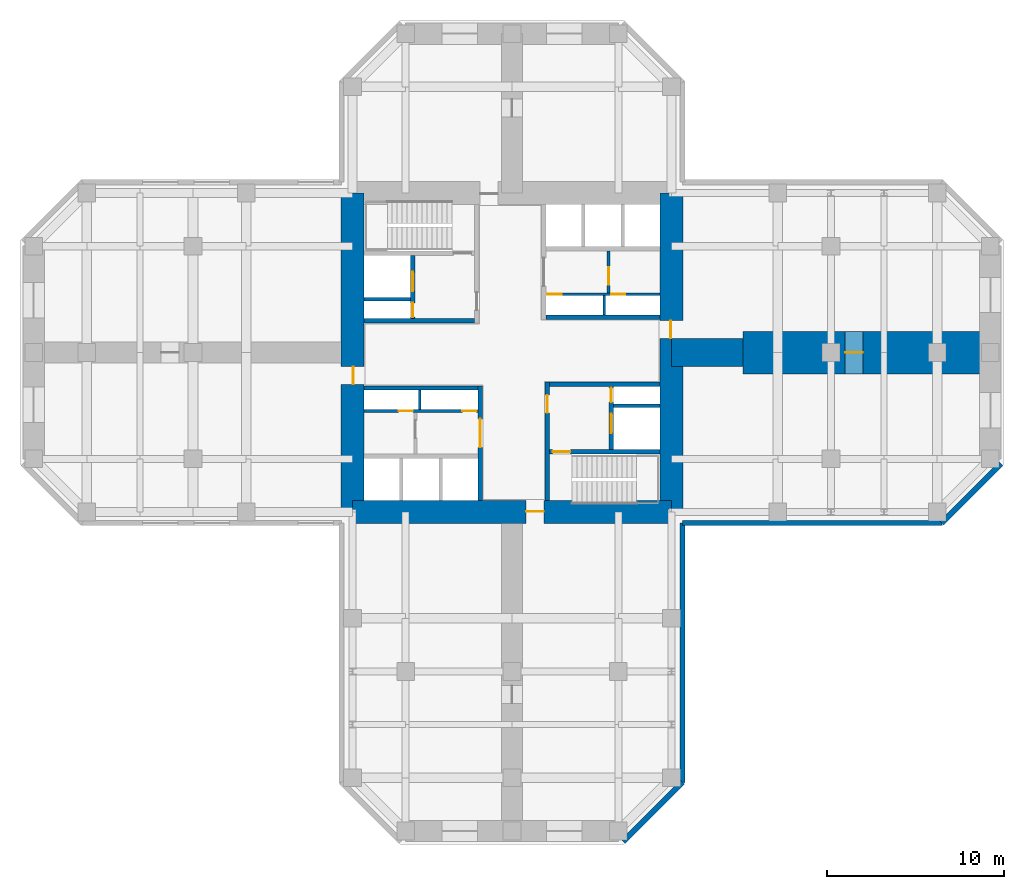
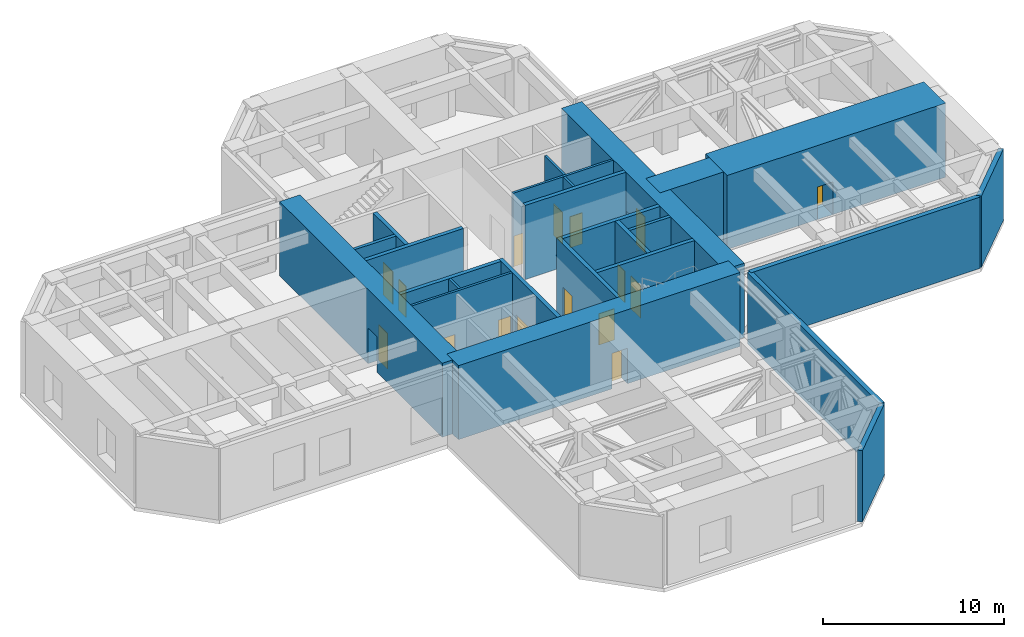
# One storey, part 6 of 8: 25 walls, 16 doors, 16 openings.
"""IFC4 building model written with IfcOpenShell, lengths in metres."""

from ifc_helpers import new_model, si_unit, direction, frame, frame_2d, origin, place, context, subcontext, project, spatial, rectangle, extrude, material, layer, layer_set, constituent, constituent_set, type_object, element, fill, save


model = new_model("IFC4")

# Units and contexts
model_context = context("Model", 3, precision=1e-05, world=origin(), true_north=direction((0.0, 1.0)))
body_context = subcontext(model_context, "Body", "Model", "MODEL_VIEW")
ifc_project = project(units=[si_unit("LENGTHUNIT", "METRE"), si_unit("AREAUNIT", "SQUARE_METRE"), si_unit("VOLUMEUNIT", "CUBIC_METRE"), si_unit("PLANEANGLEUNIT", "RADIAN"), si_unit("MASSUNIT", "GRAM", prefix="KILO")], contexts=[model_context])

# Site, building, storey
site_placement = place(None, origin())
site = spatial("IfcSite", under=ifc_project, at=site_placement, CompositionType="ELEMENT")
building_placement = place(site_placement, origin())
building = spatial("IfcBuilding", under=site, at=building_placement, Name="Torre Cruceta", CompositionType="ELEMENT")
storey_placement = place(building_placement, frame((0.0, 0.0, 164.5)))
storey = spatial("IfcBuildingStorey", under=building, at=storey_placement, Name="L40", CompositionType="ELEMENT", Elevation=164.5)

# Walls
ifc_material_1 = material(Name="Concrete G60 (fck 60 MPa)", Category="concrete")
ifc_layer_1 = layer(ifc_material_1, 0.25)
ifc_layer_set_1 = layer_set([ifc_layer_1], Name="Concrete G60 (fck 60 MPa)")
wall_type_1 = type_object("IfcWallType", Name="CORE INNER WALL 250 G60", PredefinedType="SHEAR", material=ifc_layer_set_1)
wall_1_placement = place(storey_placement, frame((1.925048828125, 2.0, 0.0), z_axis=(0.0, 0.0, 1.0), x_axis=(1.0, 0.0, 0.0)))
element("IfcWall", 1, at=wall_1_placement, inside=storey, type_object=wall_type_1, Name="CW4 L40 NE-CV", PredefinedType="SHEAR", context=body_context, shape_type="SweptSolid", body=[
    extrude(rectangle(XDim=6.425048828125, YDim=0.25, at=frame_2d((3.21240234375, 0.0))), origin(), (0.0, 0.0, 1.0), 5.0),
])
wall_2_placement = place(storey_placement, frame((-2.125, 1.800048828125, 0.0), z_axis=(0.0, 0.0, 1.0), x_axis=(-1.0, 0.0, 0.0)))
element("IfcWall", 2, at=wall_2_placement, inside=storey, type_object=wall_type_1, Name="CW4 L40 NW-CV", PredefinedType="SHEAR", context=body_context, shape_type="SweptSolid", body=[
    extrude(rectangle(XDim=6.22509765625, YDim=0.25, at=frame_2d((3.112548828125, 0.0))), origin(), (0.0, 0.0, 1.0), 5.0),
])

# Wall, openings, doors
wall_3_placement = place(storey_placement, frame((-5.60009765625, 1.925048828125, 0.0), z_axis=(0.0, 0.0, 1.0), x_axis=(0.0, 1.0, 0.0)))
wall_3 = element("IfcWall", 3, at=wall_3_placement, inside=storey, type_object=wall_type_1, Name="CW4 L40 NW-FU", PredefinedType="SHEAR", context=body_context, shape_type="SweptSolid", body=[
    extrude(rectangle(XDim=3.550048828125, YDim=0.25, at=frame_2d((1.77490234375, 0.0))), origin(), (0.0, 0.0, 1.0), 5.0),
])
opening_1_placement = place(wall_3_placement, frame((1.52490234375, 0.0, 0.0)))
opening_1 = element("IfcOpeningElement", 4, at=opening_1_placement, cuts=wall_3, Name="Opening LD1", PredefinedType="OPENING", context=body_context, shape_type="SweptSolid", body=[
    extrude(rectangle(XDim=1.10009765625, YDim=2.199951171875, at=frame_2d((0.550048828125, 1.10009765625))), frame((0.0, 0.135009765625, 0.0), z_axis=(0.0, -1.0, 0.0), x_axis=(1.0, 0.0, 0.0)), (0.0, 0.0, 1.0), 0.27001953125),
])
opening_2_placement = place(wall_3_placement, frame((0.074951171875, 0.0, 0.0)))
opening_2 = element("IfcOpeningElement", 5, at=opening_2_placement, cuts=wall_3, Name="Opening D5", PredefinedType="OPENING", context=body_context, shape_type="SweptSolid", body=[
    extrude(rectangle(XDim=0.800048828125, YDim=2.10009765625, at=frame_2d((0.39990234375, 1.050048828125))), frame((0.0, 0.135009765625, 0.0), z_axis=(0.0, -1.0, 0.0), x_axis=(1.0, 0.0, 0.0)), (0.0, 0.0, 1.0), 0.27001953125),
])
ifc_material_2 = material(Name="Stainless steel 1.4401", Category="steel")
door_type_1 = type_object("IfcDoorType", Name="LIFT LANDING DOOR 1100X2200", OperationType="DOUBLE_DOOR_SLIDING", PredefinedType="DOOR", material=ifc_material_2)
door_1_placement = place(opening_1_placement, origin())
door_1 = element("IfcDoor", 6, at=door_1_placement, inside=storey, type_object=door_type_1, Name="Lift landing door FL1", OperationType="DOUBLE_DOOR_SLIDING", OverallHeight=2.199951171875, OverallWidth=1.10009765625, PredefinedType="DOOR", context=body_context, shape_type="SweptSolid", body=[
    extrude(rectangle(XDim=1.10009765625, YDim=2.199951171875, at=frame_2d((0.550048828125, 1.10009765625))), frame((0.0, 0.02490234375, 0.0), z_axis=(0.0, -1.0, 0.0), x_axis=(1.0, 0.0, 0.0)), (0.0, 0.0, 1.0), 0.050048828125),
])
fill(opening_1, door_1)
ifc_material_3 = material(Name="Steel DX51D", Category="steel")
ifc_constituent_1 = constituent(ifc_material_3, Name="Leaf and frame")
ifc_material_4 = material(Name="Polyester powder coating", Category="paint")
ifc_constituent_2 = constituent(ifc_material_4, Name="Finish")
ifc_constituent_set_1 = constituent_set(constituents=[ifc_constituent_1, ifc_constituent_2], Name="Steel fire door")
door_type_2 = type_object("IfcDoorType", Name="RISER ACCESS DOOR 800X2100", OperationType="SINGLE_SWING_LEFT", PredefinedType="DOOR", material=ifc_constituent_set_1)
door_2_placement = place(opening_2_placement, origin())
door_2 = element("IfcDoor", 7, at=door_2_placement, inside=storey, type_object=door_type_2, Name="D5 L40 NW-RISER", OperationType="SINGLE_SWING_LEFT", OverallHeight=2.10009765625, OverallWidth=0.800048828125, PredefinedType="DOOR", context=body_context, shape_type="SweptSolid", body=[
    extrude(rectangle(XDim=0.800048828125, YDim=2.10009765625, at=frame_2d((0.39990234375, 1.050048828125))), frame((0.0, 0.02490234375, 0.0), z_axis=(0.0, -1.0, 0.0), x_axis=(1.0, 0.0, 0.0)), (0.0, 0.0, 1.0), 0.050048828125),
])
fill(opening_2, door_2)

# Wall, opening, door
wall_4_placement = place(storey_placement, frame((-1.800048828125, -1.875, 0.0), z_axis=(0.0, 0.0, 1.0), x_axis=(0.0, -1.0, 0.0)))
wall_4 = element("IfcWall", 8, at=wall_4_placement, inside=storey, type_object=wall_type_1, Name="CW4 L40 SW-CU", PredefinedType="SHEAR", context=body_context, shape_type="SweptSolid", body=[
    extrude(rectangle(XDim=6.47509765625, YDim=0.25, at=frame_2d((3.237548828125, 0.0))), origin(), (0.0, 0.0, 1.0), 5.0),
])
opening_3_placement = place(wall_4_placement, frame((1.875, 0.0, 0.0)))
opening_3 = element("IfcOpeningElement", 9, at=opening_3_placement, cuts=wall_4, Name="Opening D15", PredefinedType="OPENING", context=body_context, shape_type="SweptSolid", body=[
    extrude(rectangle(XDim=1.60009765625, YDim=2.39990234375, at=frame_2d((0.800048828125, 1.199951171875))), frame((0.0, 0.135009765625, 0.0), z_axis=(0.0, -1.0, 0.0), x_axis=(1.0, 0.0, 0.0)), (0.0, 0.0, 1.0), 0.27001953125),
])
ifc_material_5 = material(Name="Steel DX51D", Category="steel")
ifc_constituent_3 = constituent(ifc_material_5, Name="Leaf and frame")
ifc_material_6 = material(Name="Polyester powder coating", Category="paint")
ifc_constituent_4 = constituent(ifc_material_6, Name="Finish")
ifc_constituent_set_2 = constituent_set(constituents=[ifc_constituent_3, ifc_constituent_4], Name="Steel fire door")
door_type_3 = type_object("IfcDoorType", Name="CORE ROOM DOUBLE DOOR 1600X2400", OperationType="DOUBLE_DOOR_SINGLE_SWING", PredefinedType="DOOR", material=ifc_constituent_set_2)
door_3_placement = place(opening_3_placement, frame((1.60009765625, 0.0, 0.0), z_axis=(0.0, 0.0, 1.0), x_axis=(-1.0, 0.0, 0.0)))
door_3 = element("IfcDoor", 10, at=door_3_placement, inside=storey, type_object=door_type_3, Name="D15 L40 SW-LOBBY", OperationType="DOUBLE_DOOR_SINGLE_SWING", OverallHeight=2.39990234375, OverallWidth=1.60009765625, PredefinedType="DOOR", context=body_context, shape_type="SweptSolid", body=[
    extrude(rectangle(XDim=1.60009765625, YDim=2.39990234375, at=frame_2d((0.800048828125, 1.199951171875))), frame((0.0, 0.025146484375, 0.0), z_axis=(0.0, -1.0, 0.0), x_axis=(1.0, 0.0, 0.0)), (0.0, 0.0, 1.0), 0.050048828125),
])
fill(opening_3, door_3)

# Wall
wall_5_placement = place(storey_placement, frame((-1.925048828125, -2.0, 0.0), z_axis=(0.0, 0.0, 1.0), x_axis=(-1.0, 0.0, 0.0)))
element("IfcWall", 11, at=wall_5_placement, inside=storey, type_object=wall_type_1, Name="CW4 L40 SW-CV", PredefinedType="SHEAR", context=body_context, shape_type="SweptSolid", body=[
    extrude(rectangle(XDim=6.425048828125, YDim=0.25, at=frame_2d((3.21240234375, 0.0))), origin(), (0.0, 0.0, 1.0), 5.0),
])

# Wall, opening, door
wall_6_placement = place(storey_placement, frame((2.0, -1.675048828125, 0.0), z_axis=(0.0, 0.0, 1.0), x_axis=(0.0, -1.0, 0.0)))
wall_6 = element("IfcWall", 12, at=wall_6_placement, inside=storey, type_object=wall_type_1, Name="CW4 L40 SE-CU", PredefinedType="SHEAR", context=body_context, shape_type="SweptSolid", body=[
    extrude(rectangle(XDim=6.675048828125, YDim=0.25, at=frame_2d((3.33740234375, 0.0))), origin(), (0.0, 0.0, 1.0), 5.0),
])
opening_4_placement = place(wall_6_placement, frame((0.72509765625, 0.0, 0.0)))
opening_4 = element("IfcOpeningElement", 13, at=opening_4_placement, cuts=wall_6, Name="Opening D3", PredefinedType="OPENING", context=body_context, shape_type="SweptSolid", body=[
    extrude(rectangle(XDim=1.0, YDim=2.10009765625, at=frame_2d((0.5, 1.050048828125))), frame((0.0, 0.135009765625, 0.0), z_axis=(0.0, -1.0, 0.0), x_axis=(1.0, 0.0, 0.0)), (0.0, 0.0, 1.0), 0.27001953125),
])
ifc_material_7 = material(Name="Steel DX51D", Category="steel")
ifc_constituent_5 = constituent(ifc_material_7, Name="Leaf and frame")
ifc_material_8 = material(Name="Polyester powder coating", Category="paint")
ifc_constituent_6 = constituent(ifc_material_8, Name="Finish")
ifc_constituent_set_3 = constituent_set(constituents=[ifc_constituent_5, ifc_constituent_6], Name="Steel fire door")
door_type_4 = type_object("IfcDoorType", Name="FIRE DOOR 1000X2100", OperationType="SINGLE_SWING_LEFT", PredefinedType="DOOR", material=ifc_constituent_set_3)
door_4_placement = place(opening_4_placement, origin())
door_4 = element("IfcDoor", 14, at=door_4_placement, inside=storey, type_object=door_type_4, Name="D3 L40 SE-LOBBY", OperationType="SINGLE_SWING_LEFT", OverallHeight=2.10009765625, OverallWidth=1.0, PredefinedType="DOOR", context=body_context, shape_type="SweptSolid", body=[
    extrude(rectangle(XDim=1.0, YDim=2.10009765625, at=frame_2d((0.5, 1.050048828125))), frame((0.0, 0.02490234375, 0.0), z_axis=(0.0, -1.0, 0.0), x_axis=(1.0, 0.0, 0.0)), (0.0, 0.0, 1.0), 0.050048828125),
])
fill(opening_4, door_4)

# Wall
wall_7_placement = place(storey_placement, frame((2.125, -1.800048828125, 0.0), z_axis=(0.0, 0.0, 1.0), x_axis=(1.0, 0.0, 0.0)))
element("IfcWall", 15, at=wall_7_placement, inside=storey, type_object=wall_type_1, Name="CW4 L40 SE-CV", PredefinedType="SHEAR", context=body_context, shape_type="SweptSolid", body=[
    extrude(rectangle(XDim=6.22509765625, YDim=0.25, at=frame_2d((3.112548828125, 0.0))), origin(), (0.0, 0.0, 1.0), 5.0),
])

# Wall, opening, door
wall_8_placement = place(storey_placement, frame((2.125, -5.60009765625, 0.0), z_axis=(0.0, 0.0, 1.0), x_axis=(1.0, 0.0, 0.0)))
wall_8 = element("IfcWall", 16, at=wall_8_placement, inside=storey, type_object=wall_type_1, Name="CW4 L40 SE-SV", PredefinedType="SHEAR", context=body_context, shape_type="SweptSolid", body=[
    extrude(rectangle(XDim=6.22509765625, YDim=0.25, at=frame_2d((3.112548828125, 0.0))), origin(), (0.0, 0.0, 1.0), 5.0),
])
opening_5_placement = place(wall_8_placement, frame((0.175048828125, 0.0, 0.0)))
opening_5 = element("IfcOpeningElement", 17, at=opening_5_placement, cuts=wall_8, Name="Opening D3", PredefinedType="OPENING", context=body_context, shape_type="SweptSolid", body=[
    extrude(rectangle(XDim=1.0, YDim=2.10009765625, at=frame_2d((0.5, 1.050048828125))), frame((0.0, 0.135009765625, 0.0), z_axis=(0.0, -1.0, 0.0), x_axis=(1.0, 0.0, 0.0)), (0.0, 0.0, 1.0), 0.27001953125),
])
door_5_placement = place(opening_5_placement, frame((1.0, 0.0, 0.0), z_axis=(0.0, 0.0, 1.0), x_axis=(-1.0, 0.0, 0.0)))
door_5 = element("IfcDoor", 18, at=door_5_placement, inside=storey, type_object=door_type_4, Name="D3 L40 SE-STAIR", OperationType="SINGLE_SWING_RIGHT", OverallHeight=2.10009765625, OverallWidth=1.0, PredefinedType="DOOR", context=body_context, shape_type="SweptSolid", body=[
    extrude(rectangle(XDim=1.0, YDim=2.10009765625, at=frame_2d((0.5, 1.050048828125))), frame((0.0, 0.025146484375, 0.0), z_axis=(0.0, -1.0, 0.0), x_axis=(1.0, 0.0, 0.0)), (0.0, 0.0, 1.0), 0.050048828125),
])
fill(opening_5, door_5)

# Wall, openings, doors
wall_9_placement = place(storey_placement, frame((5.60009765625, -1.925048828125, 0.0), z_axis=(0.0, 0.0, 1.0), x_axis=(0.0, -1.0, 0.0)))
wall_9 = element("IfcWall", 19, at=wall_9_placement, inside=storey, type_object=wall_type_1, Name="CW4 L40 SE-FU", PredefinedType="SHEAR", context=body_context, shape_type="SweptSolid", body=[
    extrude(rectangle(XDim=3.550048828125, YDim=0.25, at=frame_2d((1.77490234375, 0.0))), origin(), (0.0, 0.0, 1.0), 5.0),
])
opening_6_placement = place(wall_9_placement, frame((1.52490234375, 0.0, 0.0)))
opening_6 = element("IfcOpeningElement", 20, at=opening_6_placement, cuts=wall_9, Name="Opening LD1", PredefinedType="OPENING", context=body_context, shape_type="SweptSolid", body=[
    extrude(rectangle(XDim=1.10009765625, YDim=2.199951171875, at=frame_2d((0.550048828125, 1.10009765625))), frame((0.0, 0.135009765625, 0.0), z_axis=(0.0, -1.0, 0.0), x_axis=(1.0, 0.0, 0.0)), (0.0, 0.0, 1.0), 0.27001953125),
])
opening_7_placement = place(wall_9_placement, frame((0.074951171875, 0.0, 0.0)))
opening_7 = element("IfcOpeningElement", 21, at=opening_7_placement, cuts=wall_9, Name="Opening D5", PredefinedType="OPENING", context=body_context, shape_type="SweptSolid", body=[
    extrude(rectangle(XDim=0.800048828125, YDim=2.10009765625, at=frame_2d((0.39990234375, 1.050048828125))), frame((0.0, 0.135009765625, 0.0), z_axis=(0.0, -1.0, 0.0), x_axis=(1.0, 0.0, 0.0)), (0.0, 0.0, 1.0), 0.27001953125),
])
door_6_placement = place(opening_6_placement, origin())
door_6 = element("IfcDoor", 22, at=door_6_placement, inside=storey, type_object=door_type_1, Name="Lift landing door FL2", OperationType="DOUBLE_DOOR_SLIDING", OverallHeight=2.199951171875, OverallWidth=1.10009765625, PredefinedType="DOOR", context=body_context, shape_type="SweptSolid", body=[
    extrude(rectangle(XDim=1.10009765625, YDim=2.199951171875, at=frame_2d((0.550048828125, 1.10009765625))), frame((0.0, 0.02490234375, 0.0), z_axis=(0.0, -1.0, 0.0), x_axis=(1.0, 0.0, 0.0)), (0.0, 0.0, 1.0), 0.050048828125),
])
fill(opening_6, door_6)
door_7_placement = place(opening_7_placement, origin())
door_7 = element("IfcDoor", 23, at=door_7_placement, inside=storey, type_object=door_type_2, Name="D5 L40 SE-RISER", OperationType="SINGLE_SWING_LEFT", OverallHeight=2.10009765625, OverallWidth=0.800048828125, PredefinedType="DOOR", context=body_context, shape_type="SweptSolid", body=[
    extrude(rectangle(XDim=0.800048828125, YDim=2.10009765625, at=frame_2d((0.39990234375, 1.050048828125))), frame((0.0, 0.02490234375, 0.0), z_axis=(0.0, -1.0, 0.0), x_axis=(1.0, 0.0, 0.0)), (0.0, 0.0, 1.0), 0.050048828125),
])
fill(opening_7, door_7)

# Wall, opening, door
ifc_material_9 = material(Name="Concrete G60 (fck 60 MPa)", Category="concrete")
ifc_layer_2 = layer(ifc_material_9, 1.300048828125)
ifc_layer_set_2 = layer_set([ifc_layer_2], Name="Concrete G60 (fck 60 MPa)")
wall_type_2 = type_object("IfcWallType", Name="CORE WALL 1300 G60", PredefinedType="SHEAR", material=ifc_layer_set_2)
wall_10_placement = place(storey_placement, frame((-9.0, -9.0, 0.0), z_axis=(0.0, 0.0, 1.0), x_axis=(1.0, 0.0, 0.0)))
wall_10 = element("IfcWall", 24, at=wall_10_placement, inside=storey, type_object=wall_type_2, Name="CW1 L40 CW-S", PredefinedType="SHEAR", context=body_context, shape_type="SweptSolid", body=[
    extrude(rectangle(XDim=18.0, YDim=1.300048828125, at=frame_2d((9.0, 0.0))), origin(), (0.0, 0.0, 1.0), 5.0),
])
opening_8_placement = place(wall_10_placement, frame((9.800048828125, 0.0, 0.0)))
opening_8 = element("IfcOpeningElement", 25, at=opening_8_placement, cuts=wall_10, Name="Opening D4", PredefinedType="OPENING", context=body_context, shape_type="SweptSolid", body=[
    extrude(rectangle(XDim=1.0, YDim=2.39990234375, at=frame_2d((0.5, 1.199951171875))), frame((0.0, 0.659912109375, 0.0), z_axis=(0.0, -1.0, 0.0), x_axis=(1.0, 0.0, 0.0)), (0.0, 0.0, 1.0), 1.320068359375),
])
ifc_material_10 = material(Name="Steel DX51D", Category="steel")
ifc_constituent_7 = constituent(ifc_material_10, Name="Leaf and frame")
ifc_material_11 = material(Name="Polyester powder coating", Category="paint")
ifc_constituent_8 = constituent(ifc_material_11, Name="Finish")
ifc_constituent_set_4 = constituent_set(constituents=[ifc_constituent_7, ifc_constituent_8], Name="Steel fire door")
door_type_5 = type_object("IfcDoorType", Name="CORE ARM DOOR 1000X2400", OperationType="SINGLE_SWING_RIGHT", PredefinedType="DOOR", material=ifc_constituent_set_4)
door_8_placement = place(opening_8_placement, frame((1.0, 0.0, 0.0), z_axis=(0.0, 0.0, 1.0), x_axis=(-1.0, 0.0, 0.0)))
door_8 = element("IfcDoor", 26, at=door_8_placement, inside=storey, type_object=door_type_5, Name="D4 L40 CW-S", OperationType="SINGLE_SWING_RIGHT", OverallHeight=2.39990234375, OverallWidth=1.0, PredefinedType="DOOR", context=body_context, shape_type="SweptSolid", body=[
    extrude(rectangle(XDim=1.0, YDim=2.39990234375, at=frame_2d((0.5, 1.199951171875))), frame((0.0, -0.005126953125, 0.0), z_axis=(0.0, -1.0, 0.0), x_axis=(1.0, 0.0, 0.0)), (0.0, 0.0, 1.0), 0.050048828125),
])
fill(opening_8, door_8)

wall_11_placement = place(storey_placement, frame((9.0, -9.0, 0.0), z_axis=(0.0, 0.0, 1.0), x_axis=(0.0, 1.0, 0.0)))
wall_11 = element("IfcWall", 27, at=wall_11_placement, inside=storey, type_object=wall_type_2, Name="CW1 L40 CW-E", PredefinedType="SHEAR", context=body_context, shape_type="SweptSolid", body=[
    extrude(rectangle(XDim=18.0, YDim=1.300048828125, at=frame_2d((9.0, 0.0))), origin(), (0.0, 0.0, 1.0), 5.0),
])
opening_9_placement = place(wall_11_placement, frame((9.800048828125, 0.0, 0.0)))
opening_9 = element("IfcOpeningElement", 28, at=opening_9_placement, cuts=wall_11, Name="Opening D4", PredefinedType="OPENING", context=body_context, shape_type="SweptSolid", body=[
    extrude(rectangle(XDim=1.0, YDim=2.39990234375, at=frame_2d((0.5, 1.199951171875))), frame((0.0, 0.659912109375, 0.0), z_axis=(0.0, -1.0, 0.0), x_axis=(1.0, 0.0, 0.0)), (0.0, 0.0, 1.0), 1.320068359375),
])
door_9_placement = place(opening_9_placement, frame((1.0, 0.0, 0.0), z_axis=(0.0, 0.0, 1.0), x_axis=(-1.0, 0.0, 0.0)))
door_9 = element("IfcDoor", 29, at=door_9_placement, inside=storey, type_object=door_type_5, Name="D4 L40 CW-E", OperationType="SINGLE_SWING_RIGHT", OverallHeight=2.39990234375, OverallWidth=1.0, PredefinedType="DOOR", context=body_context, shape_type="SweptSolid", body=[
    extrude(rectangle(XDim=1.0, YDim=2.39990234375, at=frame_2d((0.5, 1.199951171875))), frame((0.0, -0.005126953125, 0.0), z_axis=(0.0, -1.0, 0.0), x_axis=(1.0, 0.0, 0.0)), (0.0, 0.0, 1.0), 0.050048828125),
])
fill(opening_9, door_9)

wall_12_placement = place(storey_placement, frame((-9.0, 9.0, 0.0), z_axis=(0.0, 0.0, 1.0), x_axis=(0.0, -1.0, 0.0)))
wall_12 = element("IfcWall", 30, at=wall_12_placement, inside=storey, type_object=wall_type_2, Name="CW1 L40 CW-W", PredefinedType="SHEAR", context=body_context, shape_type="SweptSolid", body=[
    extrude(rectangle(XDim=18.0, YDim=1.300048828125, at=frame_2d((9.0, 0.0))), origin(), (0.0, 0.0, 1.0), 5.0),
])
opening_10_placement = place(wall_12_placement, frame((9.800048828125, 0.0, 0.0)))
opening_10 = element("IfcOpeningElement", 31, at=opening_10_placement, cuts=wall_12, Name="Opening D4", PredefinedType="OPENING", context=body_context, shape_type="SweptSolid", body=[
    extrude(rectangle(XDim=1.0, YDim=2.39990234375, at=frame_2d((0.5, 1.199951171875))), frame((0.0, 0.659912109375, 0.0), z_axis=(0.0, -1.0, 0.0), x_axis=(1.0, 0.0, 0.0)), (0.0, 0.0, 1.0), 1.320068359375),
])
door_10_placement = place(opening_10_placement, frame((1.0, 0.0, 0.0), z_axis=(0.0, 0.0, 1.0), x_axis=(-1.0, 0.0, 0.0)))
door_10 = element("IfcDoor", 32, at=door_10_placement, inside=storey, type_object=door_type_5, Name="D4 L40 CW-W", OperationType="SINGLE_SWING_RIGHT", OverallHeight=2.39990234375, OverallWidth=1.0, PredefinedType="DOOR", context=body_context, shape_type="SweptSolid", body=[
    extrude(rectangle(XDim=1.0, YDim=2.39990234375, at=frame_2d((0.5, 1.199951171875))), frame((0.0, -0.005126953125, 0.0), z_axis=(0.0, -1.0, 0.0), x_axis=(1.0, 0.0, 0.0)), (0.0, 0.0, 1.0), 0.050048828125),
])
fill(opening_10, door_10)

# Walls
ifc_material_12 = material(Name="Concrete G30 (fck 30 MPa)", Category="concrete")
ifc_layer_3 = layer(ifc_material_12, 0.300048828125)
ifc_layer_set_3 = layer_set([ifc_layer_3], Name="Concrete G30 (fck 30 MPa)")
wall_type_3 = type_object("IfcWallType", Name="EXPOSED CONCRETE FACADE WALL 300", PredefinedType="SOLIDWALL", material=ifc_layer_set_3)
wall_13_placement = place(storey_placement, frame((9.6201171875, -9.6201171875, 0.0), z_axis=(0.0, 0.0, 1.0), x_axis=(1.0, 0.0, 0.0)))
element("IfcWall", 33, at=wall_13_placement, inside=storey, type_object=wall_type_3, Name="EW1 facade wall L40 E side 00", PredefinedType="SOLIDWALL", context=body_context, shape_type="SweptSolid", body=[
    extrude(rectangle(XDim=14.63671875, YDim=0.300048828125, at=frame_2d((7.318359375, 0.0))), origin(), (0.0, 0.0, 1.0), 4.820068359375),
])
for number, where, z_axis, x_axis, name in (
    (34, (24.2568359375, -9.6201171875, 0.0), (0.0, 0.0, 1.0), (0.707106781187, 0.707106781187, 0.0), "EW1 facade wall L40 E chamfer 01"),
    (35, (6.27685546875, -27.60009765625, 0.0), (0.0, 0.0, 1.0), (0.707106781187, 0.707106781187, 0.0), "EW1 facade wall L40 S chamfer 18"),
):
    element("IfcWall", number, at=place(storey_placement, frame(where, z_axis=z_axis, x_axis=x_axis)), inside=storey, type_object=wall_type_3, Name=name, PredefinedType="SOLIDWALL", context=body_context, shape_type="SweptSolid", body=[
        extrude(rectangle(XDim=4.72802734375, YDim=0.300048828125, at=frame_2d((2.364013671875, 0.0))), origin(), (0.0, 0.0, 1.0), 4.820068359375),
    ])
wall_14_placement = place(storey_placement, frame((9.6201171875, -24.2568359375, 0.0), z_axis=(0.0, 0.0, 1.0), x_axis=(0.0, 1.0, 0.0)))
element("IfcWall", 36, at=wall_14_placement, inside=storey, type_object=wall_type_3, Name="EW1 facade wall L40 S side 19", PredefinedType="SOLIDWALL", context=body_context, shape_type="SweptSolid", body=[
    extrude(rectangle(XDim=14.63671875, YDim=0.300048828125, at=frame_2d((7.318359375, 0.0))), origin(), (0.0, 0.0, 1.0), 4.820068359375),
])
ifc_material_13 = material(Name="Concrete G35 (fck 35 MPa)", Category="concrete")
ifc_layer_4 = layer(ifc_material_13, 0.199951171875)
ifc_layer_set_4 = layer_set([ifc_layer_4], Name="Concrete G35 (fck 35 MPa)")
wall_type_4 = type_object("IfcWallType", Name="LIFT SHAFT WALL 200", PredefinedType="PARTITIONING", material=ifc_layer_set_4)
for number, where, z_axis, x_axis, name in (
    (37, (-5.72509765625, 3.0, 0.0), (0.0, 0.0, 1.0), (-1.0, 0.0, 0.0), "SW1 L40 NW-FR"),
    (38, (5.72509765625, -3.0, 0.0), (0.0, 0.0, 1.0), (1.0, 0.0, 0.0), "SW1 L40 SE-FR"),
):
    element("IfcWall", number, at=place(storey_placement, frame(where, z_axis=z_axis, x_axis=x_axis)), inside=storey, type_object=wall_type_4, Name=name, PredefinedType="PARTITIONING", context=body_context, shape_type="SweptSolid", body=[
        extrude(rectangle(XDim=2.625, YDim=0.199951171875, at=frame_2d((1.3125, 0.0))), origin(), (0.0, 0.0, 1.0), 5.0),
    ])

# Wall, opening, door
ifc_material_14 = material(Name="Plasterboard on steel studs", Category="steel")
ifc_layer_5 = layer(ifc_material_14, 0.14990234375)
ifc_layer_set_5 = layer_set([ifc_layer_5], Name="Plasterboard on steel studs")
wall_type_5 = type_object("IfcWallType", Name="PARTITION 150", PredefinedType="PARTITIONING", material=ifc_layer_set_5)
wall_15_placement = place(storey_placement, frame((5.449951171875, 3.375, 0.0), z_axis=(0.0, 0.0, 1.0), x_axis=(0.0, 1.0, 0.0)))
wall_15 = element("IfcWall", 39, at=wall_15_placement, inside=storey, type_object=wall_type_5, Name="PT1 L40-CORE-NE-X", PredefinedType="PARTITIONING", context=body_context, shape_type="SweptSolid", body=[
    extrude(rectangle(XDim=2.35009765625, YDim=0.14990234375, at=frame_2d((1.175048828125, 0.0))), origin(), (0.0, 0.0, 1.0), 4.820068359375),
])
opening_11_placement = place(wall_15_placement, frame((0.449951171875, 0.0, 0.0)))
opening_11 = element("IfcOpeningElement", 40, at=opening_11_placement, cuts=wall_15, Name="Opening D3", PredefinedType="OPENING", context=body_context, shape_type="SweptSolid", body=[
    extrude(rectangle(XDim=1.0, YDim=2.10009765625, at=frame_2d((0.5, 1.050048828125))), frame((0.0, 0.0849609375, 0.0), z_axis=(0.0, -1.0, 0.0), x_axis=(1.0, 0.0, 0.0)), (0.0, 0.0, 1.0), 0.169921875),
])
door_11_placement = place(opening_11_placement, frame((1.0, 0.0, 0.0), z_axis=(0.0, 0.0, 1.0), x_axis=(-1.0, 0.0, 0.0)))
door_11 = element("IfcDoor", 41, at=door_11_placement, inside=storey, type_object=door_type_4, Name="D3 L40-CORE-NE-X-D1", OperationType="SINGLE_SWING_RIGHT", OverallHeight=2.10009765625, OverallWidth=1.0, PredefinedType="DOOR", context=body_context, shape_type="SweptSolid", body=[
    extrude(rectangle(XDim=1.0, YDim=2.10009765625, at=frame_2d((0.5, 1.050048828125))), frame((0.0, 0.025146484375, 0.0), z_axis=(0.0, -1.0, 0.0), x_axis=(1.0, 0.0, 0.0)), (0.0, 0.0, 1.0), 0.050048828125),
])
fill(opening_11, door_11)

# Wall, openings, doors
ifc_material_15 = material(Name="Concrete block masonry", Category="masonry")
ifc_layer_6 = layer(ifc_material_15, 0.14990234375)
ifc_layer_set_6 = layer_set([ifc_layer_6], Name="Concrete block masonry")
wall_type_6 = type_object("IfcWallType", Name="RISER WALL 150", PredefinedType="PARTITIONING", material=ifc_layer_set_6)
wall_16_placement = place(storey_placement, frame((1.925048828125, 3.300048828125, 0.0), z_axis=(0.0, 0.0, 1.0), x_axis=(1.0, 0.0, 0.0)))
wall_16 = element("IfcWall", 42, at=wall_16_placement, inside=storey, type_object=wall_type_6, Name="SW7 L40 NE-RV", PredefinedType="PARTITIONING", context=body_context, shape_type="SweptSolid", body=[
    extrude(rectangle(XDim=6.425048828125, YDim=0.14990234375, at=frame_2d((3.21240234375, 0.0))), origin(), (0.0, 0.0, 1.0), 5.0),
])
opening_12_placement = place(wall_16_placement, frame((0.074951171875, 0.0, 0.0)))
opening_12 = element("IfcOpeningElement", 43, at=opening_12_placement, cuts=wall_16, Name="Opening D5", PredefinedType="OPENING", context=body_context, shape_type="SweptSolid", body=[
    extrude(rectangle(XDim=0.800048828125, YDim=2.10009765625, at=frame_2d((0.39990234375, 1.050048828125))), frame((0.0, 0.0849609375, 0.0), z_axis=(0.0, -1.0, 0.0), x_axis=(1.0, 0.0, 0.0)), (0.0, 0.0, 1.0), 0.169921875),
])
opening_13_placement = place(wall_16_placement, frame((3.675048828125, 0.0, 0.0)))
opening_13 = element("IfcOpeningElement", 44, at=opening_13_placement, cuts=wall_16, Name="Opening D5", PredefinedType="OPENING", context=body_context, shape_type="SweptSolid", body=[
    extrude(rectangle(XDim=0.800048828125, YDim=2.10009765625, at=frame_2d((0.39990234375, 1.050048828125))), frame((0.0, 0.0849609375, 0.0), z_axis=(0.0, -1.0, 0.0), x_axis=(1.0, 0.0, 0.0)), (0.0, 0.0, 1.0), 0.169921875),
])
door_12_placement = place(opening_12_placement, frame((0.800048828125, 0.0, 0.0), z_axis=(0.0, 0.0, 1.0), x_axis=(-1.0, 0.0, 0.0)))
door_12 = element("IfcDoor", 45, at=door_12_placement, inside=storey, type_object=door_type_2, Name="D5 L40 NE-RISER1", OperationType="SINGLE_SWING_RIGHT", OverallHeight=2.10009765625, OverallWidth=0.800048828125, PredefinedType="DOOR", context=body_context, shape_type="SweptSolid", body=[
    extrude(rectangle(XDim=0.800048828125, YDim=2.10009765625, at=frame_2d((0.400146484375, 1.050048828125))), frame((0.0, 0.025146484375, 0.0), z_axis=(0.0, -1.0, 0.0), x_axis=(1.0, 0.0, 0.0)), (0.0, 0.0, 1.0), 0.050048828125),
])
fill(opening_12, door_12)
door_13_placement = place(opening_13_placement, frame((0.800048828125, 0.0, 0.0), z_axis=(0.0, 0.0, 1.0), x_axis=(-1.0, 0.0, 0.0)))
door_13 = element("IfcDoor", 46, at=door_13_placement, inside=storey, type_object=door_type_2, Name="D5 L40 NE-RISER2", OperationType="SINGLE_SWING_RIGHT", OverallHeight=2.10009765625, OverallWidth=0.800048828125, PredefinedType="DOOR", context=body_context, shape_type="SweptSolid", body=[
    extrude(rectangle(XDim=0.800048828125, YDim=2.10009765625, at=frame_2d((0.400146484375, 1.050048828125))), frame((0.0, 0.025146484375, 0.0), z_axis=(0.0, -1.0, 0.0), x_axis=(1.0, 0.0, 0.0)), (0.0, 0.0, 1.0), 0.050048828125),
])
fill(opening_13, door_13)

# Wall
wall_17_placement = place(storey_placement, frame((5.199951171875, 2.125, 0.0), z_axis=(0.0, 0.0, 1.0), x_axis=(0.0, 1.0, 0.0)))
element("IfcWall", 47, at=wall_17_placement, inside=storey, type_object=wall_type_6, Name="SW7 L40 NE-RU", PredefinedType="PARTITIONING", context=body_context, shape_type="SweptSolid", body=[
    extrude(rectangle(XDim=1.10009765625, YDim=0.14990234375, at=frame_2d((0.550048828125, 0.0))), origin(), (0.0, 0.0, 1.0), 5.0),
])

# Wall, openings, doors
wall_18_placement = place(storey_placement, frame((-1.925048828125, -3.300048828125, 0.0), z_axis=(0.0, 0.0, 1.0), x_axis=(-1.0, 0.0, 0.0)))
wall_18 = element("IfcWall", 48, at=wall_18_placement, inside=storey, type_object=wall_type_6, Name="SW7 L40 SW-RV", PredefinedType="PARTITIONING", context=body_context, shape_type="SweptSolid", body=[
    extrude(rectangle(XDim=6.425048828125, YDim=0.14990234375, at=frame_2d((3.21240234375, 0.0))), origin(), (0.0, 0.0, 1.0), 5.0),
])
opening_14_placement = place(wall_18_placement, frame((0.074951171875, 0.0, 0.0)))
opening_14 = element("IfcOpeningElement", 49, at=opening_14_placement, cuts=wall_18, Name="Opening D5", PredefinedType="OPENING", context=body_context, shape_type="SweptSolid", body=[
    extrude(rectangle(XDim=0.800048828125, YDim=2.10009765625, at=frame_2d((0.39990234375, 1.050048828125))), frame((0.0, 0.0849609375, 0.0), z_axis=(0.0, -1.0, 0.0), x_axis=(1.0, 0.0, 0.0)), (0.0, 0.0, 1.0), 0.169921875),
])
opening_15_placement = place(wall_18_placement, frame((3.675048828125, 0.0, 0.0)))
opening_15 = element("IfcOpeningElement", 50, at=opening_15_placement, cuts=wall_18, Name="Opening D5", PredefinedType="OPENING", context=body_context, shape_type="SweptSolid", body=[
    extrude(rectangle(XDim=0.800048828125, YDim=2.10009765625, at=frame_2d((0.39990234375, 1.050048828125))), frame((0.0, 0.0849609375, 0.0), z_axis=(0.0, -1.0, 0.0), x_axis=(1.0, 0.0, 0.0)), (0.0, 0.0, 1.0), 0.169921875),
])
door_14_placement = place(opening_14_placement, frame((0.800048828125, 0.0, 0.0), z_axis=(0.0, 0.0, 1.0), x_axis=(-1.0, 0.0, 0.0)))
door_14 = element("IfcDoor", 51, at=door_14_placement, inside=storey, type_object=door_type_2, Name="D5 L40 SW-RISER1", OperationType="SINGLE_SWING_RIGHT", OverallHeight=2.10009765625, OverallWidth=0.800048828125, PredefinedType="DOOR", context=body_context, shape_type="SweptSolid", body=[
    extrude(rectangle(XDim=0.800048828125, YDim=2.10009765625, at=frame_2d((0.400146484375, 1.050048828125))), frame((0.0, 0.025146484375, 0.0), z_axis=(0.0, -1.0, 0.0), x_axis=(1.0, 0.0, 0.0)), (0.0, 0.0, 1.0), 0.050048828125),
])
fill(opening_14, door_14)
door_15_placement = place(opening_15_placement, frame((0.800048828125, 0.0, 0.0), z_axis=(0.0, 0.0, 1.0), x_axis=(-1.0, 0.0, 0.0)))
door_15 = element("IfcDoor", 52, at=door_15_placement, inside=storey, type_object=door_type_2, Name="D5 L40 SW-RISER2", OperationType="SINGLE_SWING_RIGHT", OverallHeight=2.10009765625, OverallWidth=0.800048828125, PredefinedType="DOOR", context=body_context, shape_type="SweptSolid", body=[
    extrude(rectangle(XDim=0.800048828125, YDim=2.10009765625, at=frame_2d((0.400146484375, 1.050048828125))), frame((0.0, 0.025146484375, 0.0), z_axis=(0.0, -1.0, 0.0), x_axis=(1.0, 0.0, 0.0)), (0.0, 0.0, 1.0), 0.050048828125),
])
fill(opening_15, door_15)

# Walls
wall_19_placement = place(storey_placement, frame((-5.199951171875, -2.125, 0.0), z_axis=(0.0, 0.0, 1.0), x_axis=(0.0, -1.0, 0.0)))
element("IfcWall", 53, at=wall_19_placement, inside=storey, type_object=wall_type_6, Name="SW7 L40 SW-RU", PredefinedType="PARTITIONING", context=body_context, shape_type="SweptSolid", body=[
    extrude(rectangle(XDim=1.10009765625, YDim=0.14990234375, at=frame_2d((0.550048828125, 0.0))), origin(), (0.0, 0.0, 1.0), 5.0),
])
ifc_material_16 = material(Name="Concrete G60 (fck 60 MPa)", Category="concrete")
ifc_layer_7 = layer(ifc_material_16, 1.60009765625)
ifc_layer_set_7 = layer_set([ifc_layer_7], Name="Concrete G60 (fck 60 MPa)")
wall_type_7 = type_object("IfcWallType", Name="SPINE WALL 1600 G60", PredefinedType="SHEAR", material=ifc_layer_set_7)
wall_20_placement = place(storey_placement, frame((9.0, 0.0, 0.0), z_axis=(0.0, 0.0, 1.0), x_axis=(1.0, 0.0, 0.0)))
element("IfcWall", 54, at=wall_20_placement, inside=storey, type_object=wall_type_7, Name="SW2 spine wall root L40 E", PredefinedType="SHEAR", context=body_context, shape_type="SweptSolid", body=[
    extrude(rectangle(XDim=4.050048828125, YDim=1.60009765625, at=frame_2d((2.02490234375, 0.0))), origin(), (0.0, 0.0, 1.0), 5.0),
])

# Wall, opening, door
ifc_material_17 = material(Name="Concrete G60 (fck 60 MPa)", Category="concrete")
ifc_layer_8 = layer(ifc_material_17, 2.39990234375)
ifc_layer_set_8 = layer_set([ifc_layer_8], Name="Concrete G60 (fck 60 MPa)")
wall_type_8 = type_object("IfcWallType", Name="SPINE WALL 2400 G60", PredefinedType="SHEAR", material=ifc_layer_set_8)
wall_21_placement = place(storey_placement, frame((13.050048828125, 0.0, 0.0), z_axis=(0.0, 0.0, 1.0), x_axis=(1.0, 0.0, 0.0)))
wall_21 = element("IfcWall", 55, at=wall_21_placement, inside=storey, type_object=wall_type_8, Name="SW0 spine wall L40 E", PredefinedType="SHEAR", context=body_context, shape_type="SweptSolid", body=[
    extrude(rectangle(XDim=13.949951171875, YDim=2.39990234375, at=frame_2d((6.97509765625, 0.0))), origin(), (0.0, 0.0, 1.0), 5.0),
])
opening_16_placement = place(wall_21_placement, frame((5.75, 0.0, 0.0)))
opening_16 = element("IfcOpeningElement", 56, at=opening_16_placement, cuts=wall_21, Name="Opening D14", PredefinedType="OPENING", context=body_context, shape_type="SweptSolid", body=[
    extrude(rectangle(XDim=1.0, YDim=2.199951171875, at=frame_2d((0.5, 1.10009765625))), frame((0.0, 1.2099609375, 0.0), z_axis=(0.0, -1.0, 0.0), x_axis=(1.0, 0.0, 0.0)), (0.0, 0.0, 1.0), 2.419921875),
])
ifc_material_18 = material(Name="Steel DX51D", Category="steel")
ifc_constituent_9 = constituent(ifc_material_18, Name="Leaf and frame")
ifc_material_19 = material(Name="Polyester powder coating", Category="paint")
ifc_constituent_10 = constituent(ifc_material_19, Name="Finish")
ifc_material_20 = material(Name="Fire-resisting glass", Category="glass")
ifc_constituent_11 = constituent(ifc_material_20, Name="Vision panel")
ifc_constituent_set_5 = constituent_set(constituents=[ifc_constituent_9, ifc_constituent_10, ifc_constituent_11], Name="Steel fire door with vision panel")
door_type_6 = type_object("IfcDoorType", Name="FIRE DOOR VISION PANEL 1000X2200", OperationType="SINGLE_SWING_RIGHT", PredefinedType="DOOR", material=ifc_constituent_set_5)
door_16_placement = place(opening_16_placement, frame((1.0, 0.0, 0.0), z_axis=(0.0, 0.0, 1.0), x_axis=(-1.0, 0.0, 0.0)))
door_16 = element("IfcDoor", 57, at=door_16_placement, inside=storey, type_object=door_type_6, Name="D14 L40-E-SP1", OperationType="SINGLE_SWING_LEFT", OverallHeight=2.199951171875, OverallWidth=1.0, PredefinedType="DOOR", context=body_context, shape_type="SweptSolid", body=[
    extrude(rectangle(XDim=1.0, YDim=2.199951171875, at=frame_2d((0.5, 1.10009765625))), frame((0.0, 0.025146484375, 0.0), z_axis=(0.0, -1.0, 0.0), x_axis=(1.0, 0.0, 0.0)), (0.0, 0.0, 1.0), 0.050048828125),
])
fill(opening_16, door_16)

save(model, "model.ifc")
